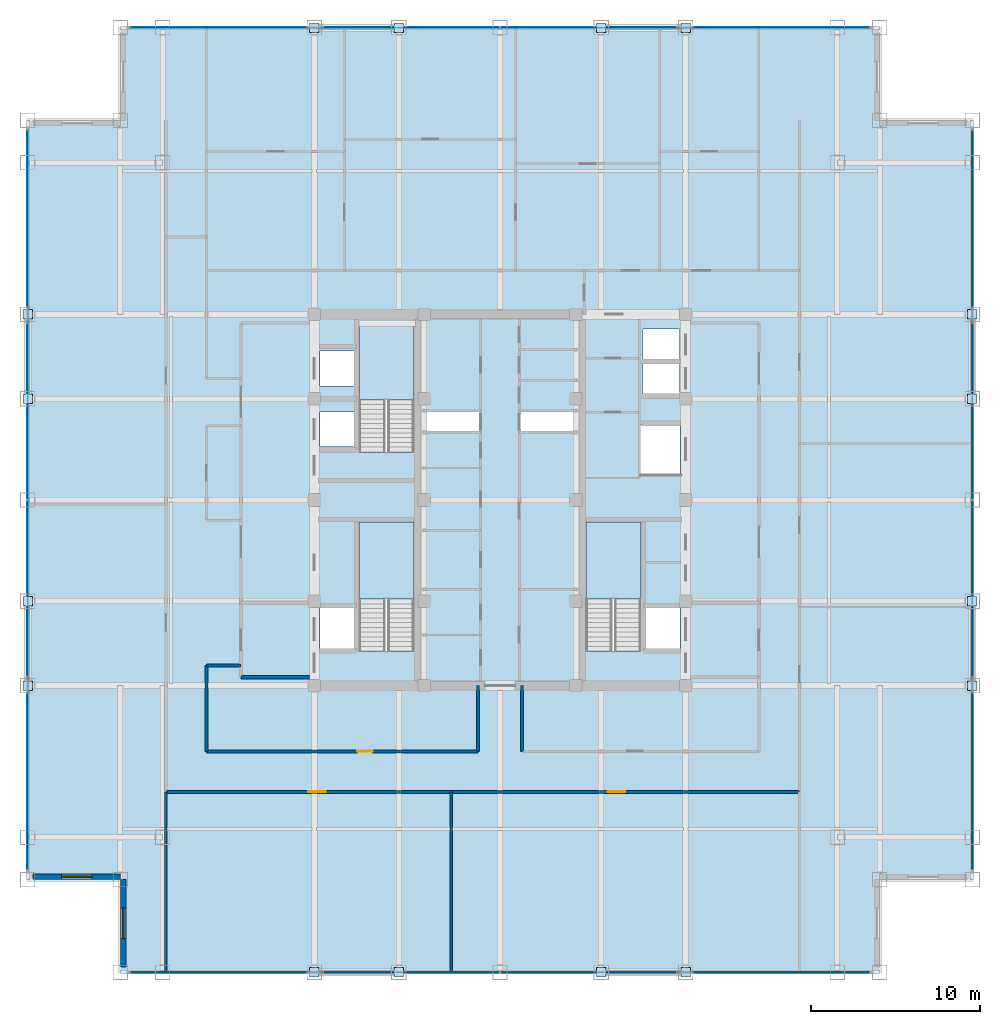
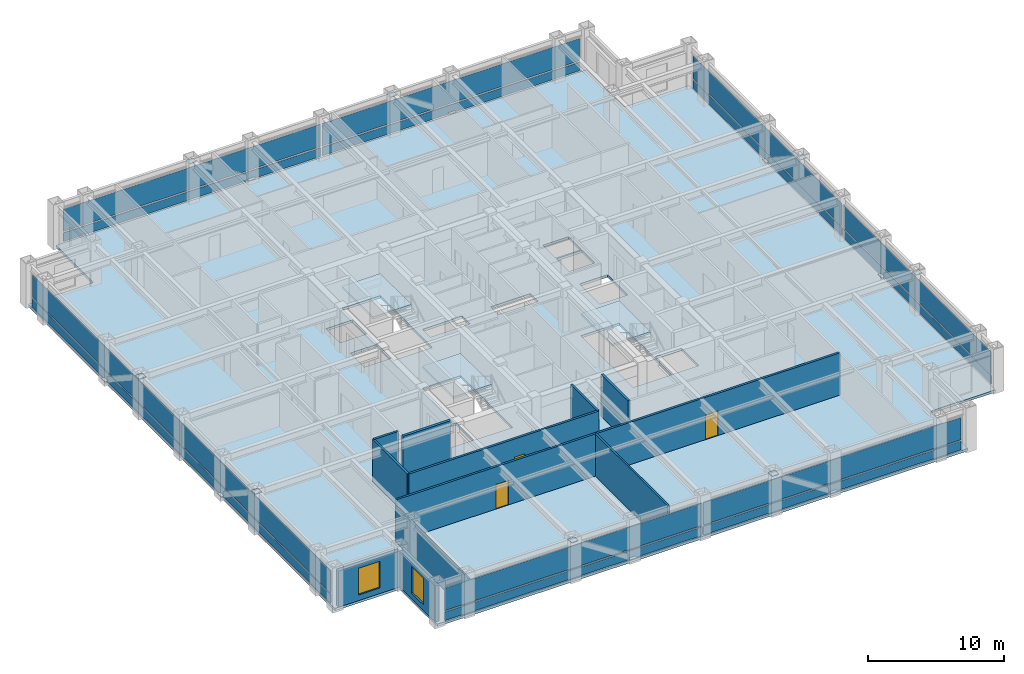
# One storey, part 17 of 22: 32 plates, 11 walls, 4 slabs, 3 doors, 2 windows, 5 openings, 7 elements without a shape of their own.
"""IFC4 building model written with IfcOpenShell, lengths in metres."""

from ifc_helpers import new_model, si_unit, direction, frame, frame_2d, origin, origin_2d, place, context, subcontext, project, spatial, polyline, rectangle, outline, extrude, source, transform, mapped, material, layer, layer_set, type_object, element, fill, aggregate, save


model = new_model("IFC4")

# Units and contexts
model_context = context("Model", 3, precision=1e-05, world=origin(), true_north=direction((0.0, 1.0)))
body_context = subcontext(model_context, "Body", "Model", "MODEL_VIEW")
ifc_project = project(units=[si_unit("LENGTHUNIT", "METRE"), si_unit("AREAUNIT", "SQUARE_METRE"), si_unit("VOLUMEUNIT", "CUBIC_METRE"), si_unit("PLANEANGLEUNIT", "RADIAN"), si_unit("MASSUNIT", "GRAM", prefix="KILO")], contexts=[model_context])

# Site, building, storey
site_placement = place(None, origin())
site = spatial("IfcSite", under=ifc_project, at=site_placement, CompositionType="ELEMENT")
building_placement = place(site_placement, origin())
building = spatial("IfcBuilding", under=site, at=building_placement, Name="Khorayat Bourse Tower", CompositionType="ELEMENT")
storey_placement = place(building_placement, frame((0.0, 0.0, 309.5)))
storey = spatial("IfcBuildingStorey", under=building, at=storey_placement, Name="L73", CompositionType="ELEMENT", Elevation=309.5)

# Stair, slab
ifc_material_1 = material(Name="Concrete C40/50", Category="concrete")
stair_type = type_object("IfcStairType", Name="STR-CORE-1550", PredefinedType="HALF_TURN_STAIR", material=ifc_material_1)
stair_1_placement = place(storey_placement, origin())
stair_1 = element("IfcStair", 1, at=stair_1_placement, inside=storey, type_object=stair_type, Name="L73 Exit Stair ST-1", PredefinedType="HALF_TURN_STAIR")
ifc_layer_1 = layer(ifc_material_1, 0.199951171875)
ifc_layer_set_1 = layer_set([ifc_layer_1], Name="Concrete C40/50")
slab_type_1 = type_object("IfcSlabType", Name="SLB-LANDING-200", PredefinedType="LANDING", material=ifc_layer_set_1)
slab_1_placement = place(storey_placement, frame((0.0, 0.0, 1.800048828125)))
slab_1 = element("IfcSlab", 2, at=slab_1_placement, type_object=slab_type_1, Name="ST-1 landing 1", PredefinedType="LANDING", context=body_context, shape_type="SweptSolid", body=[
    extrude(outline(polyline([(-5.10009765625, -5.8701171875), (-5.10009765625, -1.300048828125), (-8.35009765625, -1.300048828125), (-8.35009765625, -5.8701171875), (-5.10009765625, -5.8701171875)])), origin(), (0.0, 0.0, 1.0), 0.199951171875),
])
aggregate(stair_1, [slab_1])

stair_2_placement = place(storey_placement, origin())
stair_2 = element("IfcStair", 3, at=stair_2_placement, inside=storey, type_object=stair_type, Name="L73 Exit Stair ST-2", PredefinedType="HALF_TURN_STAIR")
slab_2_placement = place(storey_placement, frame((0.0, 0.0, 1.800048828125)))
slab_2 = element("IfcSlab", 4, at=slab_2_placement, type_object=slab_type_1, Name="ST-2 landing 1", PredefinedType="LANDING", context=body_context, shape_type="SweptSolid", body=[
    extrude(outline(polyline([(-5.10009765625, 5.929931640625), (-5.10009765625, 10.5), (-8.35009765625, 10.5), (-8.35009765625, 5.929931640625), (-5.10009765625, 5.929931640625)])), origin(), (0.0, 0.0, 1.0), 0.199951171875),
])
aggregate(stair_2, [slab_2])

stair_3_placement = place(storey_placement, origin())
stair_3 = element("IfcStair", 5, at=stair_3_placement, inside=storey, type_object=stair_type, Name="L73 Exit Stair ST-3", PredefinedType="HALF_TURN_STAIR")
slab_3_placement = place(storey_placement, frame((0.0, 0.0, 1.800048828125)))
slab_3 = element("IfcSlab", 6, at=slab_3_placement, type_object=slab_type_1, Name="ST-3 landing 1", PredefinedType="LANDING", context=body_context, shape_type="SweptSolid", body=[
    extrude(outline(polyline([(8.35009765625, -5.8701171875), (8.35009765625, -1.300048828125), (5.10009765625, -1.300048828125), (5.10009765625, -5.8701171875), (8.35009765625, -5.8701171875)])), origin(), (0.0, 0.0, 1.0), 0.199951171875),
])
aggregate(stair_3, [slab_3])

# Slab
ifc_layer_2 = layer(ifc_material_1, 0.219970703125)
ifc_layer_set_2 = layer_set([ifc_layer_2], Name="Concrete C40/50")
slab_type_2 = type_object("IfcSlabType", Name="SLB-OFFICE-220", PredefinedType="FLOOR", material=ifc_layer_set_2)
slab_4_placement = place(storey_placement, frame((0.0, 0.0, -0.219970703125)))
element("IfcSlab", 7, at=slab_4_placement, inside=storey, type_object=slab_type_2, Name="L73 Main Floor Slab", PredefinedType="FLOOR", context=body_context, shape_type="SweptSolid", body=[
    extrude(outline(polyline([(-22.5, -28.0), (22.5, -28.0), (22.5, -22.5), (28.0, -22.5), (28.0, 22.5), (22.5, 22.5), (22.5, 28.0), (-22.5, 28.0), (-22.5, 22.5), (-28.0, 22.5), (-28.0, -22.5), (-22.5, -22.5), (-22.5, -28.0)]), holes=[polyline([(-8.35009765625, -8.945068359375), (-5.10009765625, -8.945068359375), (-5.10009765625, -1.300048828125), (-8.35009765625, -1.300048828125), (-8.35009765625, -8.945068359375)]), polyline([(-8.35009765625, 2.85498046875), (-5.10009765625, 2.85498046875), (-5.10009765625, 10.5), (-8.35009765625, 10.5), (-8.35009765625, 2.85498046875)]), polyline([(5.10009765625, -8.945068359375), (8.35009765625, -8.945068359375), (8.35009765625, -1.300048828125), (5.10009765625, -1.300048828125), (5.10009765625, -8.945068359375)]), polyline([(-10.679931640625, 3.169921875), (-8.419921875, 3.169921875), (-8.419921875, 5.22998046875), (-10.679931640625, 5.22998046875), (-10.679931640625, 3.169921875)]), polyline([(-10.679931640625, 6.77001953125), (-8.419921875, 6.77001953125), (-8.419921875, 8.830078125), (-10.679931640625, 8.830078125), (-10.679931640625, 6.77001953125)]), polyline([(8.469970703125, 6.27001953125), (10.6298828125, 6.27001953125), (10.6298828125, 8.1298828125), (8.469970703125, 8.1298828125), (8.469970703125, 6.27001953125)]), polyline([(8.469970703125, 8.27001953125), (10.6298828125, 8.27001953125), (10.6298828125, 10.1298828125), (8.469970703125, 10.1298828125), (8.469970703125, 8.27001953125)]), polyline([(-10.679931640625, -8.929931640625), (-8.419921875, -8.929931640625), (-8.419921875, -6.3701171875), (-10.679931640625, -6.3701171875), (-10.679931640625, -8.929931640625)]), polyline([(8.419921875, -8.929931640625), (10.679931640625, -8.929931640625), (10.679931640625, -6.3701171875), (8.419921875, -6.3701171875), (8.419921875, -8.929931640625)]), polyline([(8.320068359375, 1.52001953125), (10.679931640625, 1.52001953125), (10.679931640625, 4.47998046875), (8.320068359375, 4.47998046875), (8.320068359375, 1.52001953125)]), polyline([(-4.56005859375, 4.080078125), (-1.18994140625, 4.080078125), (-1.18994140625, 5.219970703125), (-4.56005859375, 5.219970703125), (-4.56005859375, 4.080078125)]), polyline([(1.18994140625, 4.080078125), (4.56005859375, 4.080078125), (4.56005859375, 5.219970703125), (1.18994140625, 5.219970703125), (1.18994140625, 4.080078125)])]), origin(), (0.0, 0.0, 1.0), 0.219970703125),
])

# Plates
ifc_material_2 = material(Name="Steel EN 10025-2 S355J2", Category="steel")
ifc_layer_3 = layer(ifc_material_2, 0.02490234375)
ifc_layer_set_3 = layer_set([ifc_layer_3], Name="Steel EN 10025-2 S355J2")
plate_type_1 = type_object("IfcPlateType", Name="PLT-ENDCAP-25", PredefinedType="SHEET", material=ifc_layer_set_3)
shared_shape_1 = source(origin(), body_context, "Body", "SweptSolid", [
    extrude(rectangle(XDim=0.56005859375, YDim=0.56005859375, at=origin_2d()), origin(), (0.0, 0.0, 1.0), 0.02490234375),
])
for number, where, z_axis, x_axis, name in (
    (8, (-11.0, -28.0, 3.517578125), (0.0, 0.0, 1.0), (1.0, 0.0, 0.0), "L73 Perimeter Brace End Plate 001"),
    (9, (-6.0, -28.0, 0.237548828125), (0.0, 0.0, 1.0), (1.0, 0.0, 0.0), "L73 Perimeter Brace End Plate 002"),
    (10, (6.0, -28.0, 3.517578125), (0.0, 0.0, 1.0), (1.0, 0.0, 0.0), "L73 Perimeter Brace End Plate 003"),
    (11, (11.0, -28.0, 0.237548828125), (0.0, 0.0, 1.0), (1.0, 0.0, 0.0), "L73 Perimeter Brace End Plate 004"),
    (12, (-11.0, 28.0, 3.517578125), (0.0, 0.0, 1.0), (1.0, 0.0, 0.0), "L73 Perimeter Brace End Plate 005"),
    (13, (-6.0, 28.0, 0.237548828125), (0.0, 0.0, 1.0), (1.0, 0.0, 0.0), "L73 Perimeter Brace End Plate 006"),
    (14, (6.0, 28.0, 3.517578125), (0.0, 0.0, 1.0), (1.0, 0.0, 0.0), "L73 Perimeter Brace End Plate 007"),
    (15, (11.0, 28.0, 0.237548828125), (0.0, 0.0, 1.0), (1.0, 0.0, 0.0), "L73 Perimeter Brace End Plate 008"),
    (16, (-28.0, -11.0, 3.517578125), (0.0, 0.0, 1.0), (1.0, 0.0, 0.0), "L73 Perimeter Brace End Plate 009"),
    (17, (-28.0, -6.0, 0.237548828125), (0.0, 0.0, 1.0), (1.0, 0.0, 0.0), "L73 Perimeter Brace End Plate 010"),
    (18, (-28.0, 6.0, 3.517578125), (0.0, 0.0, 1.0), (1.0, 0.0, 0.0), "L73 Perimeter Brace End Plate 011"),
    (19, (-28.0, 11.0, 0.237548828125), (0.0, 0.0, 1.0), (1.0, 0.0, 0.0), "L73 Perimeter Brace End Plate 012"),
    (20, (28.0, -11.0, 3.517578125), (0.0, 0.0, 1.0), (1.0, 0.0, 0.0), "L73 Perimeter Brace End Plate 013"),
    (21, (28.0, -6.0, 0.237548828125), (0.0, 0.0, 1.0), (1.0, 0.0, 0.0), "L73 Perimeter Brace End Plate 014"),
    (22, (28.0, 6.0, 3.517578125), (0.0, 0.0, 1.0), (1.0, 0.0, 0.0), "L73 Perimeter Brace End Plate 015"),
    (23, (28.0, 11.0, 0.237548828125), (0.0, 0.0, 1.0), (1.0, 0.0, 0.0), "L73 Perimeter Brace End Plate 016"),
):
    element("IfcPlate", number, at=place(storey_placement, frame(where, z_axis=z_axis, x_axis=x_axis)), inside=storey, type_object=plate_type_1, Name=name, PredefinedType="SHEET", context=body_context, shape_type="MappedRepresentation", body=[
        mapped(shared_shape_1, transform((0.0, 0.0, 0.0), scale=1.0)),
    ])

# Curtain wall, plates
ifc_material_3 = material(Name="Aluminium EN AW-6063 T6", Category="aluminium")
curtain_wall_type = type_object("IfcCurtainWallType", Name="CW-SYS-04", PredefinedType="NOTDEFINED", material=ifc_material_3)
curtain_wall_1_placement = place(storey_placement, origin())
curtain_wall_1 = element("IfcCurtainWall", 24, at=curtain_wall_1_placement, inside=storey, type_object=curtain_wall_type, Name="L73 Curtain Wall CW-L73-S1", PredefinedType="NOTDEFINED")
ifc_material_4 = material(Name="Honed desert limestone insulated spandrel", Category="masonry")
ifc_layer_4 = layer(ifc_material_4, 0.06494140625)
ifc_layer_set_4 = layer_set([ifc_layer_4], Name="Honed desert limestone insulated spandrel")
plate_type_2 = type_object("IfcPlateType", Name="CWP-SPAND-03", PredefinedType="CURTAIN_PANEL", material=ifc_layer_set_4)
shared_shape_2 = source(origin(), body_context, "Body", "SweptSolid", [
    extrude(rectangle(XDim=21.820068359375, YDim=0.06494140625, at=origin_2d()), origin(), (0.0, 0.0, 1.0), 0.77001953125),
])
plate_1_placement = place(storey_placement, frame((-10.969970703125, -28.0, 0.119873046875), z_axis=(0.0, 0.0, 1.0), x_axis=(1.0, 0.0, 0.0)))
plate_1 = element("IfcPlate", 25, at=plate_1_placement, type_object=plate_type_2, Name="CW-L73-S1 Spandrel Panel 1-1", PredefinedType="CURTAIN_PANEL", context=body_context, shape_type="MappedRepresentation", body=[
    mapped(shared_shape_2, transform((0.0, 0.0, 0.0), scale=1.0)),
])
plate_2_placement = place(storey_placement, frame((10.969970703125, -28.0, 0.119873046875), z_axis=(0.0, 0.0, 1.0), x_axis=(1.0, 0.0, 0.0)))
plate_2 = element("IfcPlate", 26, at=plate_2_placement, type_object=plate_type_2, Name="CW-L73-S1 Spandrel Panel 2-1", PredefinedType="CURTAIN_PANEL", context=body_context, shape_type="MappedRepresentation", body=[
    mapped(shared_shape_2, transform((0.0, 0.0, 0.0), scale=1.0)),
])

curtain_wall_2_placement = place(storey_placement, origin())
curtain_wall_2 = element("IfcCurtainWall", 27, at=curtain_wall_2_placement, inside=storey, type_object=curtain_wall_type, Name="L73 Curtain Wall CW-L73-N1", PredefinedType="NOTDEFINED")
plate_3_placement = place(storey_placement, frame((-10.969970703125, 28.0, 0.119873046875), z_axis=(0.0, 0.0, 1.0), x_axis=(1.0, 0.0, 0.0)))
plate_3 = element("IfcPlate", 28, at=plate_3_placement, type_object=plate_type_2, Name="CW-L73-N1 Spandrel Panel 1-1", PredefinedType="CURTAIN_PANEL", context=body_context, shape_type="MappedRepresentation", body=[
    mapped(shared_shape_2, transform((0.0, 0.0, 0.0), scale=1.0)),
])
plate_4_placement = place(storey_placement, frame((10.969970703125, 28.0, 0.119873046875), z_axis=(0.0, 0.0, 1.0), x_axis=(1.0, 0.0, 0.0)))
plate_4 = element("IfcPlate", 29, at=plate_4_placement, type_object=plate_type_2, Name="CW-L73-N1 Spandrel Panel 2-1", PredefinedType="CURTAIN_PANEL", context=body_context, shape_type="MappedRepresentation", body=[
    mapped(shared_shape_2, transform((0.0, 0.0, 0.0), scale=1.0)),
])

curtain_wall_3_placement = place(storey_placement, origin())
curtain_wall_3 = element("IfcCurtainWall", 30, at=curtain_wall_3_placement, inside=storey, type_object=curtain_wall_type, Name="L73 Curtain Wall CW-L73-W1", PredefinedType="NOTDEFINED")
plate_5_placement = place(storey_placement, frame((-28.0, -10.969970703125, 0.119873046875), z_axis=(0.0, 0.0, 1.0), x_axis=(0.0, 1.0, 0.0)))
plate_5 = element("IfcPlate", 31, at=plate_5_placement, type_object=plate_type_2, Name="CW-L73-W1 Spandrel Panel 1-1", PredefinedType="CURTAIN_PANEL", context=body_context, shape_type="MappedRepresentation", body=[
    mapped(shared_shape_2, transform((0.0, 0.0, 0.0), scale=1.0)),
])
plate_6_placement = place(storey_placement, frame((-28.0, 10.969970703125, 0.119873046875), z_axis=(0.0, 0.0, 1.0), x_axis=(0.0, 1.0, 0.0)))
plate_6 = element("IfcPlate", 32, at=plate_6_placement, type_object=plate_type_2, Name="CW-L73-W1 Spandrel Panel 2-1", PredefinedType="CURTAIN_PANEL", context=body_context, shape_type="MappedRepresentation", body=[
    mapped(shared_shape_2, transform((0.0, 0.0, 0.0), scale=1.0)),
])

curtain_wall_4_placement = place(storey_placement, origin())
curtain_wall_4 = element("IfcCurtainWall", 33, at=curtain_wall_4_placement, inside=storey, type_object=curtain_wall_type, Name="L73 Curtain Wall CW-L73-E1", PredefinedType="NOTDEFINED")
plate_7_placement = place(storey_placement, frame((28.0, -10.969970703125, 0.119873046875), z_axis=(0.0, 0.0, 1.0), x_axis=(0.0, 1.0, 0.0)))
plate_7 = element("IfcPlate", 34, at=plate_7_placement, type_object=plate_type_2, Name="CW-L73-E1 Spandrel Panel 1-1", PredefinedType="CURTAIN_PANEL", context=body_context, shape_type="MappedRepresentation", body=[
    mapped(shared_shape_2, transform((0.0, 0.0, 0.0), scale=1.0)),
])
plate_8_placement = place(storey_placement, frame((28.0, 10.969970703125, 0.119873046875), z_axis=(0.0, 0.0, 1.0), x_axis=(0.0, 1.0, 0.0)))
plate_8 = element("IfcPlate", 35, at=plate_8_placement, type_object=plate_type_2, Name="CW-L73-E1 Spandrel Panel 2-1", PredefinedType="CURTAIN_PANEL", context=body_context, shape_type="MappedRepresentation", body=[
    mapped(shared_shape_2, transform((0.0, 0.0, 0.0), scale=1.0)),
])

# Plate
ifc_material_5 = material(Name="Low-E solar-control laminated double glazing", Category="glass")
ifc_layer_5 = layer(ifc_material_5, 0.0419921875)
ifc_layer_set_5 = layer_set([ifc_layer_5], Name="Low-E solar-control laminated double glazing")
plate_type_3 = type_object("IfcPlateType", Name="CWP-FACET-02", PredefinedType="CURTAIN_PANEL", material=ifc_layer_set_5)
shared_shape_3 = source(origin(), body_context, "Body", "SweptSolid", [
    extrude(rectangle(XDim=21.820068359375, YDim=0.0419921875, at=origin_2d()), origin(), (0.0, 0.0, 1.0), 2.0),
])
plate_9_placement = place(storey_placement, frame((-10.969970703125, -28.0, 1.010009765625), z_axis=(0.0, 0.0, 1.0), x_axis=(1.0, 0.0, 0.0)))
plate_9 = element("IfcPlate", 36, at=plate_9_placement, type_object=plate_type_3, Name="CW-L73-S1 Vision Panel 1-2", PredefinedType="CURTAIN_PANEL", context=body_context, shape_type="MappedRepresentation", body=[
    mapped(shared_shape_3, transform((0.0, 0.0, 0.0), scale=1.0)),
])

plate_10_placement = place(storey_placement, frame((10.969970703125, -28.0, 1.010009765625), z_axis=(0.0, 0.0, 1.0), x_axis=(1.0, 0.0, 0.0)))
plate_10 = element("IfcPlate", 37, at=plate_10_placement, type_object=plate_type_3, Name="CW-L73-S1 Vision Panel 2-2", PredefinedType="CURTAIN_PANEL", context=body_context, shape_type="MappedRepresentation", body=[
    mapped(shared_shape_3, transform((0.0, 0.0, 0.0), scale=1.0)),
])

aggregate(curtain_wall_1, [plate_1, plate_9, plate_2, plate_10])

plate_11_placement = place(storey_placement, frame((-10.969970703125, 28.0, 1.010009765625), z_axis=(0.0, 0.0, 1.0), x_axis=(1.0, 0.0, 0.0)))
plate_11 = element("IfcPlate", 38, at=plate_11_placement, type_object=plate_type_3, Name="CW-L73-N1 Vision Panel 1-2", PredefinedType="CURTAIN_PANEL", context=body_context, shape_type="MappedRepresentation", body=[
    mapped(shared_shape_3, transform((0.0, 0.0, 0.0), scale=1.0)),
])

plate_12_placement = place(storey_placement, frame((10.969970703125, 28.0, 1.010009765625), z_axis=(0.0, 0.0, 1.0), x_axis=(1.0, 0.0, 0.0)))
plate_12 = element("IfcPlate", 39, at=plate_12_placement, type_object=plate_type_3, Name="CW-L73-N1 Vision Panel 2-2", PredefinedType="CURTAIN_PANEL", context=body_context, shape_type="MappedRepresentation", body=[
    mapped(shared_shape_3, transform((0.0, 0.0, 0.0), scale=1.0)),
])

aggregate(curtain_wall_2, [plate_3, plate_11, plate_4, plate_12])

plate_13_placement = place(storey_placement, frame((-28.0, -10.969970703125, 1.010009765625), z_axis=(0.0, 0.0, 1.0), x_axis=(0.0, 1.0, 0.0)))
plate_13 = element("IfcPlate", 40, at=plate_13_placement, type_object=plate_type_3, Name="CW-L73-W1 Vision Panel 1-2", PredefinedType="CURTAIN_PANEL", context=body_context, shape_type="MappedRepresentation", body=[
    mapped(shared_shape_3, transform((0.0, 0.0, 0.0), scale=1.0)),
])

plate_14_placement = place(storey_placement, frame((-28.0, 10.969970703125, 1.010009765625), z_axis=(0.0, 0.0, 1.0), x_axis=(0.0, 1.0, 0.0)))
plate_14 = element("IfcPlate", 41, at=plate_14_placement, type_object=plate_type_3, Name="CW-L73-W1 Vision Panel 2-2", PredefinedType="CURTAIN_PANEL", context=body_context, shape_type="MappedRepresentation", body=[
    mapped(shared_shape_3, transform((0.0, 0.0, 0.0), scale=1.0)),
])

aggregate(curtain_wall_3, [plate_5, plate_13, plate_6, plate_14])

plate_15_placement = place(storey_placement, frame((28.0, -10.969970703125, 1.010009765625), z_axis=(0.0, 0.0, 1.0), x_axis=(0.0, 1.0, 0.0)))
plate_15 = element("IfcPlate", 42, at=plate_15_placement, type_object=plate_type_3, Name="CW-L73-E1 Vision Panel 1-2", PredefinedType="CURTAIN_PANEL", context=body_context, shape_type="MappedRepresentation", body=[
    mapped(shared_shape_3, transform((0.0, 0.0, 0.0), scale=1.0)),
])

plate_16_placement = place(storey_placement, frame((28.0, 10.969970703125, 1.010009765625), z_axis=(0.0, 0.0, 1.0), x_axis=(0.0, 1.0, 0.0)))
plate_16 = element("IfcPlate", 43, at=plate_16_placement, type_object=plate_type_3, Name="CW-L73-E1 Vision Panel 2-2", PredefinedType="CURTAIN_PANEL", context=body_context, shape_type="MappedRepresentation", body=[
    mapped(shared_shape_3, transform((0.0, 0.0, 0.0), scale=1.0)),
])

aggregate(curtain_wall_4, [plate_7, plate_15, plate_8, plate_16])

# Wall, opening, window
ifc_material_6 = material(Name="Precast concrete C45/55", Category="concrete")
ifc_layer_6 = layer(ifc_material_6, 0.320068359375)
ifc_layer_set_6 = layer_set([ifc_layer_6], Name="Precast concrete C45/55")
wall_type_1 = type_object("IfcWallType", Name="WAL-EXT-STONE-320", PredefinedType="STANDARD", material=ifc_layer_set_6)
shared_shape_4 = source(origin(), body_context, "Body", "SweptSolid", [
    extrude(rectangle(XDim=5.179931640625, YDim=0.320068359375, at=frame_2d((2.58984375, 0.0))), origin(), (0.0, 0.0, 1.0), 3.23095703125),
])
wall_1_placement = place(storey_placement, frame((-22.5, -22.340087890625, 0.0), z_axis=(0.0, 0.0, 1.0), x_axis=(-1.0, 0.0, 0.0)))
wall_1 = element("IfcWall", 44, at=wall_1_placement, inside=storey, type_object=wall_type_1, Name="L73 Re-Entrant Notch Limestone Wall SW-H", PredefinedType="STANDARD", context=body_context, shape_type="MappedRepresentation", body=[
    mapped(shared_shape_4, transform((0.0, 0.0, 0.0), scale=1.0)),
])
shared_shape_5 = source(origin(), body_context, "Body", "SweptSolid", [
    extrude(rectangle(XDim=1.800048828125, YDim=2.39990234375, at=frame_2d((0.89990234375, 1.199951171875))), frame((0.0, 0.169921875, 0.0), z_axis=(0.0, -1.0, 0.0), x_axis=(1.0, 0.0, 0.0)), (0.0, 0.0, 1.0), 0.340087890625),
])
opening_1_placement = place(wall_1_placement, frame((1.68994140625, 0.0, 0.5)))
opening_1 = element("IfcOpeningElement", 45, at=opening_1_placement, cuts=wall_1, Name="Opening WN-04", PredefinedType="OPENING", context=body_context, shape_type="MappedRepresentation", body=[
    mapped(shared_shape_5, transform((0.0, 0.0, 0.0), scale=1.0)),
])
ifc_material_7 = material(Name="Low-E acoustic laminated double glazing", Category="glass")
window_type = type_object("IfcWindowType", Name="WIN-NOTCH-1800x2400", PartitioningType="SINGLE_PANEL", PredefinedType="WINDOW", material=ifc_material_7)
shared_shape_6 = source(origin(), body_context, "Body", "SweptSolid", [
    extrude(rectangle(XDim=1.800048828125, YDim=2.39990234375, at=frame_2d((0.89990234375, 1.199951171875))), frame((0.0, 0.030029296875, 0.0), z_axis=(0.0, -1.0, 0.0), x_axis=(1.0, 0.0, 0.0)), (0.0, 0.0, 1.0), 0.06005859375),
])
window_1_placement = place(opening_1_placement, origin())
window_1 = element("IfcWindow", 46, at=window_1_placement, inside=storey, type_object=window_type, Name="L73 Facade Window 1", OverallHeight=2.39990234375, OverallWidth=1.800048828125, PartitioningType="SINGLE_PANEL", PredefinedType="WINDOW", context=body_context, shape_type="MappedRepresentation", body=[
    mapped(shared_shape_6, transform((0.0, 0.0, 0.0), scale=1.0)),
])
fill(opening_1, window_1)

wall_2_placement = place(storey_placement, frame((-22.340087890625, -27.679931640625, 0.0), z_axis=(0.0, 0.0, 1.0), x_axis=(0.0, 1.0, 0.0)))
wall_2 = element("IfcWall", 47, at=wall_2_placement, inside=storey, type_object=wall_type_1, Name="L73 Re-Entrant Notch Limestone Wall SW-V", PredefinedType="STANDARD", context=body_context, shape_type="MappedRepresentation", body=[
    mapped(shared_shape_4, transform((0.0, 0.0, 0.0), scale=1.0)),
])
opening_2_placement = place(wall_2_placement, frame((1.68994140625, 0.0, 0.5)))
opening_2 = element("IfcOpeningElement", 48, at=opening_2_placement, cuts=wall_2, Name="Opening WN-04", PredefinedType="OPENING", context=body_context, shape_type="MappedRepresentation", body=[
    mapped(shared_shape_5, transform((0.0, 0.0, 0.0), scale=1.0)),
])
window_2_placement = place(opening_2_placement, origin())
window_2 = element("IfcWindow", 49, at=window_2_placement, inside=storey, type_object=window_type, Name="L73 Facade Window 1", OverallHeight=2.39990234375, OverallWidth=1.800048828125, PartitioningType="SINGLE_PANEL", PredefinedType="WINDOW", context=body_context, shape_type="MappedRepresentation", body=[
    mapped(shared_shape_6, transform((0.0, 0.0, 0.0), scale=1.0)),
])
fill(opening_2, window_2)

# Walls
ifc_material_8 = material(Name="Aerated concrete blockwork", Category="masonry")
ifc_layer_7 = layer(ifc_material_8, 0.219970703125)
ifc_layer_set_7 = layer_set([ifc_layer_7], Name="Aerated concrete blockwork")
wall_type_2 = type_object("IfcWallType", Name="WAL-PART-FF-220", PredefinedType="PARTITIONING", material=ifc_layer_set_7)
shared_shape_7 = source(origin(), body_context, "Body", "SweptSolid", [
    extrude(rectangle(XDim=4.050048828125, YDim=0.219970703125, at=frame_2d((2.02490234375, 0.0))), origin(), (0.0, 0.0, 1.0), 3.780029296875),
])
wall_3_placement = place(storey_placement, frame((-15.35009765625, -10.5, 0.0), z_axis=(0.0, 0.0, 1.0), x_axis=(1.0, 0.0, 0.0)))
element("IfcWall", 50, at=wall_3_placement, inside=storey, type_object=wall_type_2, Name="L73 Partition WAL-L73-FFLW-S", PredefinedType="PARTITIONING", context=body_context, shape_type="MappedRepresentation", body=[
    mapped(shared_shape_7, transform((0.0, 0.0, 0.0), scale=1.0)),
])
ifc_material_9 = material(Name="Gypsum plasterboard acoustic stud wall")
ifc_layer_8 = layer(ifc_material_9, 0.179931640625)
ifc_layer_set_8 = layer_set([ifc_layer_8], Name="Gypsum plasterboard acoustic stud wall")
wall_type_3 = type_object("IfcWallType", Name="WAL-PART-CORR-180", PredefinedType="PARTITIONING", material=ifc_layer_set_8)
shared_shape_8 = source(origin(), body_context, "Body", "SweptSolid", [
    extrude(rectangle(XDim=2.0498046875, YDim=0.179931640625, at=frame_2d((1.02490234375, 0.0))), origin(), (0.0, 0.0, 1.0), 3.780029296875),
])
wall_4_placement = place(storey_placement, frame((-17.39990234375, -9.800048828125, 0.0), z_axis=(0.0, 0.0, 1.0), x_axis=(1.0, 0.0, 0.0)))
element("IfcWall", 51, at=wall_4_placement, inside=storey, type_object=wall_type_3, Name="L73 Partition WAL-L73-THRW-S", PredefinedType="PARTITIONING", context=body_context, shape_type="MappedRepresentation", body=[
    mapped(shared_shape_8, transform((0.0, 0.0, 0.0), scale=1.0)),
])

# Wall, opening, door
shared_shape_9 = source(origin(), body_context, "Body", "SweptSolid", [
    extrude(rectangle(XDim=16.099853515625, YDim=0.179931640625, at=frame_2d((8.0498046875, 0.0))), origin(), (0.0, 0.0, 1.0), 3.780029296875),
])
wall_5_placement = place(storey_placement, frame((-17.39990234375, -14.89990234375, 0.0), z_axis=(0.0, 0.0, 1.0), x_axis=(1.0, 0.0, 0.0)))
wall_5 = element("IfcWall", 52, at=wall_5_placement, inside=storey, type_object=wall_type_3, Name="L73 Partition WAL-L73-PKSW-S", PredefinedType="PARTITIONING", context=body_context, shape_type="MappedRepresentation", body=[
    mapped(shared_shape_9, transform((0.0, 0.0, 0.0), scale=1.0)),
])
shared_shape_10 = source(origin(), body_context, "Body", "SweptSolid", [
    extrude(rectangle(XDim=0.89990234375, YDim=2.14990234375, at=frame_2d((0.449951171875, 1.074951171875))), frame((0.0, 0.099853515625, 0.0), z_axis=(0.0, -1.0, 0.0), x_axis=(1.0, 0.0, 0.0)), (0.0, 0.0, 1.0), 0.199951171875),
])
opening_3_placement = place(wall_5_placement, frame((8.949951171875, 0.0, 0.0)))
opening_3 = element("IfcOpeningElement", 53, at=opening_3_placement, cuts=wall_5, Name="Opening DI-06", PredefinedType="OPENING", context=body_context, shape_type="MappedRepresentation", body=[
    mapped(shared_shape_10, transform((0.0, 0.0, 0.0), scale=1.0)),
])
ifc_material_10 = material(Name="Moisture-resistant laminate washroom door")
door_type_1 = type_object("IfcDoorType", Name="DR-INT-WC-900", OperationType="NOTDEFINED", PredefinedType="DOOR", material=ifc_material_10)
shared_shape_11 = source(origin(), body_context, "Body", "SweptSolid", [
    extrude(rectangle(XDim=0.89990234375, YDim=2.14990234375, at=frame_2d((0.449951171875, 1.074951171875))), frame((0.0, 0.02490234375, 0.0), z_axis=(0.0, -1.0, 0.0), x_axis=(1.0, 0.0, 0.0)), (0.0, 0.0, 1.0), 0.050048828125),
])
door_1_placement = place(opening_3_placement, origin())
door_1 = element("IfcDoor", 54, at=door_1_placement, inside=storey, type_object=door_type_1, Name="L73 SW Inboard Pantry Door", OperationType="SINGLE_SWING_LEFT", OverallHeight=2.14990234375, OverallWidth=0.89990234375, PredefinedType="DOOR", context=body_context, shape_type="MappedRepresentation", body=[
    mapped(shared_shape_11, transform((0.0, 0.0, 0.0), scale=1.0)),
])
fill(opening_3, door_1)

# Wall, openings, doors
shared_shape_12 = source(origin(), body_context, "Body", "SweptSolid", [
    extrude(rectangle(XDim=37.550048828125, YDim=0.179931640625, at=frame_2d((18.77490234375, 0.0))), origin(), (0.0, 0.0, 1.0), 3.780029296875),
])
wall_6_placement = place(storey_placement, frame((-19.800048828125, -17.300048828125, 0.0), z_axis=(0.0, 0.0, 1.0), x_axis=(1.0, 0.0, 0.0)))
wall_6 = element("IfcWall", 55, at=wall_6_placement, inside=storey, type_object=wall_type_3, Name="L73 Partition WAL-L73-SCORR", PredefinedType="PARTITIONING", context=body_context, shape_type="MappedRepresentation", body=[
    mapped(shared_shape_12, transform((0.0, 0.0, 0.0), scale=1.0)),
])
shared_shape_13 = source(origin(), body_context, "Body", "SweptSolid", [
    extrude(rectangle(XDim=1.050048828125, YDim=2.199951171875, at=frame_2d((0.52490234375, 1.10009765625))), frame((0.0, 0.099853515625, 0.0), z_axis=(0.0, -1.0, 0.0), x_axis=(1.0, 0.0, 0.0)), (0.0, 0.0, 1.0), 0.199951171875),
])
opening_4_placement = place(wall_6_placement, frame((8.423583984375, 0.0, 0.0)))
opening_4 = element("IfcOpeningElement", 56, at=opening_4_placement, cuts=wall_6, Name="Opening DI-04", PredefinedType="OPENING", context=body_context, shape_type="MappedRepresentation", body=[
    mapped(shared_shape_13, transform((0.0, 0.0, 0.0), scale=1.0)),
])
opening_5_placement = place(wall_6_placement, frame((26.173583984375, 0.0, 0.0)))
opening_5 = element("IfcOpeningElement", 57, at=opening_5_placement, cuts=wall_6, Name="Opening DI-04", PredefinedType="OPENING", context=body_context, shape_type="MappedRepresentation", body=[
    mapped(shared_shape_13, transform((0.0, 0.0, 0.0), scale=1.0)),
])
ifc_material_11 = material(Name="Fire-rated oak veneer suite entrance door")
door_type_2 = type_object("IfcDoorType", Name="DR-INT-SUITE-1050", OperationType="NOTDEFINED", PredefinedType="DOOR", material=ifc_material_11)
shared_shape_14 = source(origin(), body_context, "Body", "SweptSolid", [
    extrude(rectangle(XDim=1.050048828125, YDim=2.199951171875, at=frame_2d((0.52490234375, 1.10009765625))), frame((0.0, 0.02490234375, 0.0), z_axis=(0.0, -1.0, 0.0), x_axis=(1.0, 0.0, 0.0)), (0.0, 0.0, 1.0), 0.050048828125),
])
door_2_placement = place(opening_4_placement, origin())
door_2 = element("IfcDoor", 58, at=door_2_placement, inside=storey, type_object=door_type_2, Name="L73 Issuer Listing Showroom S1 Door", OperationType="SINGLE_SWING_RIGHT", OverallHeight=2.199951171875, OverallWidth=1.050048828125, PredefinedType="DOOR", context=body_context, shape_type="MappedRepresentation", body=[
    mapped(shared_shape_14, transform((0.0, 0.0, 0.0), scale=1.0)),
])
fill(opening_4, door_2)
door_3_placement = place(opening_5_placement, origin())
door_3 = element("IfcDoor", 59, at=door_3_placement, inside=storey, type_object=door_type_2, Name="L73 Brokerage Member Kiosk S2 Door", OperationType="SINGLE_SWING_LEFT", OverallHeight=2.199951171875, OverallWidth=1.050048828125, PredefinedType="DOOR", context=body_context, shape_type="MappedRepresentation", body=[
    mapped(shared_shape_14, transform((0.0, 0.0, 0.0), scale=1.0)),
])
fill(opening_5, door_3)

# Walls
shared_shape_15 = source(origin(), body_context, "Body", "SweptSolid", [
    extrude(rectangle(XDim=5.099853515625, YDim=0.179931640625, at=frame_2d((2.5498046875, 0.0))), origin(), (0.0, 0.0, 1.0), 3.780029296875),
])
wall_7_placement = place(storey_placement, frame((-17.39990234375, -14.89990234375, 0.0), z_axis=(0.0, 0.0, 1.0), x_axis=(0.0, 1.0, 0.0)))
element("IfcWall", 60, at=wall_7_placement, inside=storey, type_object=wall_type_3, Name="L73 Partition WAL-L73-PKSW-W", PredefinedType="PARTITIONING", context=body_context, shape_type="MappedRepresentation", body=[
    mapped(shared_shape_15, transform((0.0, 0.0, 0.0), scale=1.0)),
])
shared_shape_16 = source(origin(), body_context, "Body", "SweptSolid", [
    extrude(rectangle(XDim=3.89990234375, YDim=0.179931640625, at=frame_2d((1.949951171875, 0.0))), origin(), (0.0, 0.0, 1.0), 3.780029296875),
])
for number, where, z_axis, x_axis, name in (
    (61, (-1.300048828125, -14.89990234375, 0.0), (0.0, 0.0, 1.0), (0.0, 1.0, 0.0), "L73 Partition WAL-L73-PKSW-E"),
    (62, (1.300048828125, -14.89990234375, 0.0), (0.0, 0.0, 1.0), (0.0, 1.0, 0.0), "L73 Partition WAL-L73-PKSE-W"),
):
    element("IfcWall", number, at=place(storey_placement, frame(where, z_axis=z_axis, x_axis=x_axis)), inside=storey, type_object=wall_type_3, Name=name, PredefinedType="PARTITIONING", context=body_context, shape_type="MappedRepresentation", body=[
        mapped(shared_shape_16, transform((0.0, 0.0, 0.0), scale=1.0)),
    ])
ifc_material_12 = material(Name="Gypsum plasterboard twin-frame partition")
ifc_layer_9 = layer(ifc_material_12, 0.14990234375)
ifc_layer_set_9 = layer_set([ifc_layer_9], Name="Gypsum plasterboard twin-frame partition")
wall_type_4 = type_object("IfcWallType", Name="WAL-PART-SUITE-150", PredefinedType="PARTITIONING", material=ifc_layer_set_9)
shared_shape_17 = source(origin(), body_context, "Body", "SweptSolid", [
    extrude(rectangle(XDim=10.699951171875, YDim=0.14990234375, at=frame_2d((5.35009765625, 0.0))), origin(), (0.0, 0.0, 1.0), 3.780029296875),
])
wall_8_placement = place(storey_placement, frame((-2.902587890625, -28.0, 0.0), z_axis=(0.0, 0.0, 1.0), x_axis=(0.0, 1.0, 0.0)))
element("IfcWall", 63, at=wall_8_placement, inside=storey, type_object=wall_type_4, Name="L73 Partition WAL-L73-SDV-1", PredefinedType="PARTITIONING", context=body_context, shape_type="MappedRepresentation", body=[
    mapped(shared_shape_17, transform((0.0, 0.0, 0.0), scale=1.0)),
])
shared_shape_18 = source(origin(), body_context, "Body", "SweptSolid", [
    extrude(rectangle(XDim=10.699951171875, YDim=0.14990234375, at=frame_2d((5.35009765625, 0.0))), origin(), (0.0, 0.0, 1.0), 3.1640625),
])
wall_9_placement = place(storey_placement, frame((-19.800048828125, -28.0, 0.0), z_axis=(0.0, 0.0, 1.0), x_axis=(0.0, 1.0, 0.0)))
element("IfcWall", 64, at=wall_9_placement, inside=storey, type_object=wall_type_4, Name="L73 Partition WAL-L73-SCW-END", PredefinedType="PARTITIONING", context=body_context, shape_type="MappedRepresentation", body=[
    mapped(shared_shape_18, transform((0.0, 0.0, 0.0), scale=1.0)),
])

save(model, "model.ifc")
